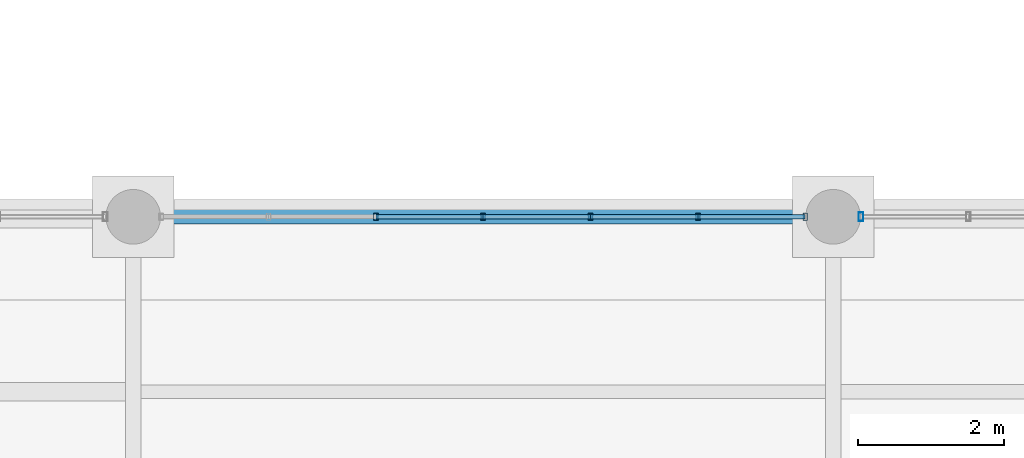
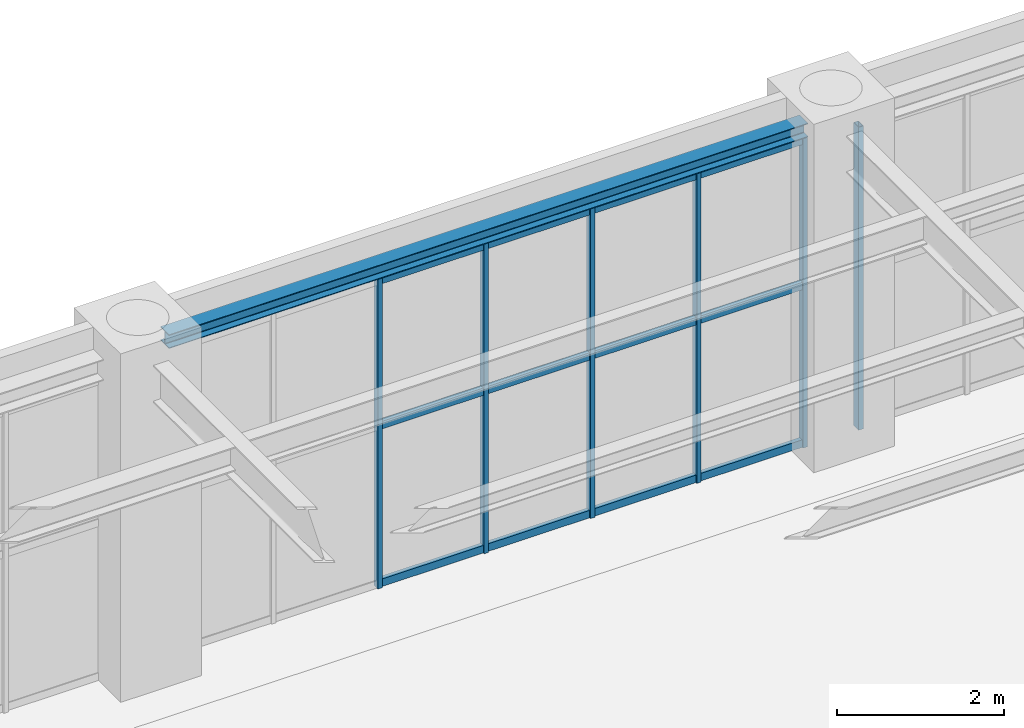
# One storey, part 68 of 174: 18 members, 1 beam, 2 elements without a shape of their own.
"""IFC4 building model written with IfcOpenShell, lengths in metres."""

from ifc_helpers import new_model, si_unit, direction, frame, origin, origin_2d, place, context, subcontext, project, spatial, hollow_rectangle, i_section, extrude, material, material_profile, profile_set, type_object, element, aggregate, save


model = new_model("IFC4")

# Units and contexts
model_context = context("Model", 3, precision=1e-05, world=origin(), true_north=direction((0.0, 1.0)))
body_context = subcontext(model_context, "Body", "Model", "MODEL_VIEW")
ifc_project = project(units=[si_unit("LENGTHUNIT", "METRE"), si_unit("AREAUNIT", "SQUARE_METRE"), si_unit("VOLUMEUNIT", "CUBIC_METRE"), si_unit("PLANEANGLEUNIT", "RADIAN"), si_unit("MASSUNIT", "GRAM", prefix="KILO")], contexts=[model_context])

# Site, building, storey
site_placement = place(None, origin())
site = spatial("IfcSite", under=ifc_project, at=site_placement, CompositionType="ELEMENT")
building_placement = place(site_placement, origin())
building = spatial("IfcBuilding", under=site, at=building_placement, Name="Mavantir Sound Aquarium", CompositionType="ELEMENT")
storey_placement = place(building_placement, frame((0.0, 0.0, 5.39990234375)))
storey = spatial("IfcBuildingStorey", under=building, at=storey_placement, Name="L01", CompositionType="ELEMENT", Elevation=5.39990234375)

# Beam
ifc_material_1 = material(Name="Structural Steel ASTM A992 Gr50", Category="steel")
ifc_material_profile_1 = material_profile(ifc_material_1, i_section(OverallWidth=0.202880859375, OverallDepth=0.202880859375, WebThickness=0.007080078125, FlangeThickness=0.010986328125, FilletRadius=0.010009765625, at=origin_2d()), Name="W200X46")
ifc_profile_set_1 = profile_set([ifc_material_profile_1], Name="Structural Steel ASTM A992 Gr50")
beam_type = type_object("IfcBeamType", Name="BM-W200X46-E", PredefinedType="LINTEL", material=ifc_profile_set_1)
beam_placement = place(storey_placement, frame((45.97509765625, 69.60009765625, 4.674560546875), z_axis=(1.0, 0.0, 0.0), x_axis=(0.0, 1.0, 0.0)))
element("IfcBeam", 1, at=beam_placement, inside=storey, type_object=beam_type, Name="L01 primary beam SL-20 1192", PredefinedType="LINTEL", context=body_context, shape_type="SweptSolid", body=[
    extrude(i_section(OverallWidth=0.202880859375, OverallDepth=0.202880859375, WebThickness=0.007080078125, FlangeThickness=0.010986328125, FilletRadius=0.010009765625, at=origin_2d()), origin(), (0.0, 0.0, 1.0), 8.849853515625),
])

# Curtain wall, members
ifc_material_2 = material(Name="Anodised Marine Aluminium and Low-E Glass", Category="aluminium")
curtain_wall_type_1 = type_object("IfcCurtainWallType", Name="CW-T11", PredefinedType="USERDEFINED", material=ifc_material_2)
curtain_wall_1_placement = place(storey_placement, origin())
curtain_wall_1 = element("IfcCurtainWall", 2, at=curtain_wall_1_placement, inside=storey, type_object=curtain_wall_type_1, Name="L01 unitised curtain wall CW-11 59", ObjectType="UNITISED GLAZING", PredefinedType="USERDEFINED")
ifc_material_3 = material(Name="Anodised Marine Aluminium 6063-T6", Category="aluminium")
ifc_material_profile_2 = material_profile(ifc_material_3, hollow_rectangle(XDim=0.06005859375, YDim=0.10009765625, WallThickness=0.00390625, at=origin_2d()), Name="ALU-MULLION-100X60")
ifc_profile_set_2 = profile_set([ifc_material_profile_2], Name="Anodised Marine Aluminium 6063-T6")
member_type_1 = type_object("IfcMemberType", Name="CW-MUL-100", PredefinedType="MULLION", material=ifc_profile_set_2)
member_1_placement = place(storey_placement, frame((54.81689453125, 69.60009765625, 0.0), z_axis=(0.0, 0.0, 1.0), x_axis=(1.0, 0.0, 0.0)))
member_1 = element("IfcMember", 3, at=member_1_placement, type_object=member_type_1, Name="CW-L01-059 vertical mullion 1", PredefinedType="MULLION", context=body_context, shape_type="SweptSolid", body=[
    extrude(hollow_rectangle(XDim=0.06005859375, YDim=0.10009765625, WallThickness=0.00390625, at=origin_2d()), origin(), (0.0, 0.0, 1.0), 4.543212890625),
])
member_2_placement = place(storey_placement, frame((53.3447265625, 69.60009765625, 0.0), z_axis=(0.0, 0.0, 1.0), x_axis=(1.0, 0.0, 0.0)))
member_2 = element("IfcMember", 4, at=member_2_placement, type_object=member_type_1, Name="CW-L01-059 vertical mullion 2", PredefinedType="MULLION", context=body_context, shape_type="SweptSolid", body=[
    extrude(hollow_rectangle(XDim=0.06005859375, YDim=0.10009765625, WallThickness=0.00390625, at=origin_2d()), origin(), (0.0, 0.0, 1.0), 4.543212890625),
])
member_3_placement = place(storey_placement, frame((51.872314453125, 69.60009765625, 0.0), z_axis=(0.0, 0.0, 1.0), x_axis=(1.0, 0.0, 0.0)))
member_3 = element("IfcMember", 5, at=member_3_placement, type_object=member_type_1, Name="CW-L01-059 vertical mullion 3", PredefinedType="MULLION", context=body_context, shape_type="SweptSolid", body=[
    extrude(hollow_rectangle(XDim=0.06005859375, YDim=0.10009765625, WallThickness=0.00390625, at=origin_2d()), origin(), (0.0, 0.0, 1.0), 4.543212890625),
])
member_4_placement = place(storey_placement, frame((50.39990234375, 69.60009765625, 0.0), z_axis=(0.0, 0.0, 1.0), x_axis=(1.0, 0.0, 0.0)))
member_4 = element("IfcMember", 6, at=member_4_placement, type_object=member_type_1, Name="CW-L01-059 vertical mullion 4", PredefinedType="MULLION", context=body_context, shape_type="SweptSolid", body=[
    extrude(hollow_rectangle(XDim=0.06005859375, YDim=0.10009765625, WallThickness=0.00390625, at=origin_2d()), origin(), (0.0, 0.0, 1.0), 4.543212890625),
])
member_5_placement = place(storey_placement, frame((48.927734375, 69.60009765625, 0.0), z_axis=(0.0, 0.0, 1.0), x_axis=(1.0, 0.0, 0.0)))
member_5 = element("IfcMember", 7, at=member_5_placement, type_object=member_type_1, Name="CW-L01-059 vertical mullion 5", PredefinedType="MULLION", context=body_context, shape_type="SweptSolid", body=[
    extrude(hollow_rectangle(XDim=0.06005859375, YDim=0.10009765625, WallThickness=0.00390625, at=origin_2d()), origin(), (0.0, 0.0, 1.0), 4.543212890625),
])

# Curtain wall, member
curtain_wall_type_2 = type_object("IfcCurtainWallType", Name="CW-T10", PredefinedType="USERDEFINED", material=ifc_material_2)
curtain_wall_2_placement = place(storey_placement, origin())
curtain_wall_2 = element("IfcCurtainWall", 8, at=curtain_wall_2_placement, inside=storey, type_object=curtain_wall_type_2, Name="L01 unitised curtain wall CW-10 58", ObjectType="UNITISED GLAZING", PredefinedType="USERDEFINED")
ifc_material_profile_3 = material_profile(ifc_material_3, hollow_rectangle(XDim=0.06494140625, YDim=0.1201171875, WallThickness=0.00390625, at=origin_2d()), Name="ALU-MULLION-120X65")
ifc_profile_set_3 = profile_set([ifc_material_profile_3], Name="Anodised Marine Aluminium 6063-T6")
member_type_2 = type_object("IfcMemberType", Name="CW-MUL-120", PredefinedType="MULLION", material=ifc_profile_set_3)
member_6_placement = place(storey_placement, frame((55.5830078125, 69.60009765625, 0.0), z_axis=(0.0, 0.0, 1.0), x_axis=(1.0, 0.0, 0.0)))
member_6 = element("IfcMember", 9, at=member_6_placement, type_object=member_type_2, Name="CW-L01-058 vertical mullion 7", PredefinedType="MULLION", context=body_context, shape_type="SweptSolid", body=[
    extrude(hollow_rectangle(XDim=0.06494140625, YDim=0.1201171875, WallThickness=0.00390625, at=origin_2d()), origin(), (0.0, 0.0, 1.0), 4.43798828125),
])
aggregate(curtain_wall_2, [member_6])

# Member
ifc_material_profile_4 = material_profile(ifc_material_3, hollow_rectangle(XDim=0.06005859375, YDim=0.110107421875, WallThickness=0.00390625, at=origin_2d()), Name="ALU-TRANSOM-110X60")
ifc_profile_set_4 = profile_set([ifc_material_profile_4], Name="Anodised Marine Aluminium 6063-T6")
member_type_3 = type_object("IfcMemberType", Name="CW-TRN-110", PredefinedType="USERDEFINED", material=ifc_profile_set_4)
member_7_placement = place(storey_placement, frame((54.81689453125, 69.60009765625, 0.05517578125), z_axis=(-1.0, 0.0, 0.0), x_axis=(0.0, -1.0, 0.0)))
member_7 = element("IfcMember", 10, at=member_7_placement, type_object=member_type_3, Name="CW-L01-059 transom 1.1", ObjectType="TRANSOM", PredefinedType="USERDEFINED", context=body_context, shape_type="SweptSolid", body=[
    extrude(hollow_rectangle(XDim=0.06005859375, YDim=0.110107421875, WallThickness=0.00390625, at=origin_2d()), origin(), (0.0, 0.0, 1.0), 1.47216796875),
])

member_8_placement = place(storey_placement, frame((54.81689453125, 69.60009765625, 2.362548828125), z_axis=(-1.0, 0.0, 0.0), x_axis=(0.0, -1.0, 0.0)))
member_8 = element("IfcMember", 11, at=member_8_placement, type_object=member_type_3, Name="CW-L01-059 transom 1.2", ObjectType="TRANSOM", PredefinedType="USERDEFINED", context=body_context, shape_type="SweptSolid", body=[
    extrude(hollow_rectangle(XDim=0.06005859375, YDim=0.110107421875, WallThickness=0.00390625, at=origin_2d()), origin(), (0.0, 0.0, 1.0), 1.47216796875),
])

member_9_placement = place(storey_placement, frame((54.81689453125, 69.60009765625, 4.488037109375), z_axis=(-1.0, 0.0, 0.0), x_axis=(0.0, -1.0, 0.0)))
member_9 = element("IfcMember", 12, at=member_9_placement, type_object=member_type_3, Name="CW-L01-059 transom 1.3", ObjectType="TRANSOM", PredefinedType="USERDEFINED", context=body_context, shape_type="SweptSolid", body=[
    extrude(hollow_rectangle(XDim=0.06005859375, YDim=0.110107421875, WallThickness=0.00390625, at=origin_2d()), origin(), (0.0, 0.0, 1.0), 1.47216796875),
])

member_10_placement = place(storey_placement, frame((53.3447265625, 69.60009765625, 0.05517578125), z_axis=(-1.0, 0.0, 0.0), x_axis=(0.0, -1.0, 0.0)))
member_10 = element("IfcMember", 13, at=member_10_placement, type_object=member_type_3, Name="CW-L01-059 transom 2.1", ObjectType="TRANSOM", PredefinedType="USERDEFINED", context=body_context, shape_type="SweptSolid", body=[
    extrude(hollow_rectangle(XDim=0.06005859375, YDim=0.110107421875, WallThickness=0.00390625, at=origin_2d()), origin(), (0.0, 0.0, 1.0), 1.472412109375),
])

member_11_placement = place(storey_placement, frame((53.3447265625, 69.60009765625, 2.362548828125), z_axis=(-1.0, 0.0, 0.0), x_axis=(0.0, -1.0, 0.0)))
member_11 = element("IfcMember", 14, at=member_11_placement, type_object=member_type_3, Name="CW-L01-059 transom 2.2", ObjectType="TRANSOM", PredefinedType="USERDEFINED", context=body_context, shape_type="SweptSolid", body=[
    extrude(hollow_rectangle(XDim=0.06005859375, YDim=0.110107421875, WallThickness=0.00390625, at=origin_2d()), origin(), (0.0, 0.0, 1.0), 1.472412109375),
])

member_12_placement = place(storey_placement, frame((53.3447265625, 69.60009765625, 4.488037109375), z_axis=(-1.0, 0.0, 0.0), x_axis=(0.0, -1.0, 0.0)))
member_12 = element("IfcMember", 15, at=member_12_placement, type_object=member_type_3, Name="CW-L01-059 transom 2.3", ObjectType="TRANSOM", PredefinedType="USERDEFINED", context=body_context, shape_type="SweptSolid", body=[
    extrude(hollow_rectangle(XDim=0.06005859375, YDim=0.110107421875, WallThickness=0.00390625, at=origin_2d()), origin(), (0.0, 0.0, 1.0), 1.472412109375),
])

member_13_placement = place(storey_placement, frame((51.872314453125, 69.60009765625, 0.05517578125), z_axis=(-1.0, 0.0, 0.0), x_axis=(0.0, -1.0, 0.0)))
member_13 = element("IfcMember", 16, at=member_13_placement, type_object=member_type_3, Name="CW-L01-059 transom 3.1", ObjectType="TRANSOM", PredefinedType="USERDEFINED", context=body_context, shape_type="SweptSolid", body=[
    extrude(hollow_rectangle(XDim=0.06005859375, YDim=0.110107421875, WallThickness=0.00390625, at=origin_2d()), origin(), (0.0, 0.0, 1.0), 1.472412109375),
])

member_14_placement = place(storey_placement, frame((51.872314453125, 69.60009765625, 2.362548828125), z_axis=(-1.0, 0.0, 0.0), x_axis=(0.0, -1.0, 0.0)))
member_14 = element("IfcMember", 17, at=member_14_placement, type_object=member_type_3, Name="CW-L01-059 transom 3.2", ObjectType="TRANSOM", PredefinedType="USERDEFINED", context=body_context, shape_type="SweptSolid", body=[
    extrude(hollow_rectangle(XDim=0.06005859375, YDim=0.110107421875, WallThickness=0.00390625, at=origin_2d()), origin(), (0.0, 0.0, 1.0), 1.472412109375),
])

member_15_placement = place(storey_placement, frame((51.872314453125, 69.60009765625, 4.488037109375), z_axis=(-1.0, 0.0, 0.0), x_axis=(0.0, -1.0, 0.0)))
member_15 = element("IfcMember", 18, at=member_15_placement, type_object=member_type_3, Name="CW-L01-059 transom 3.3", ObjectType="TRANSOM", PredefinedType="USERDEFINED", context=body_context, shape_type="SweptSolid", body=[
    extrude(hollow_rectangle(XDim=0.06005859375, YDim=0.110107421875, WallThickness=0.00390625, at=origin_2d()), origin(), (0.0, 0.0, 1.0), 1.472412109375),
])

member_16_placement = place(storey_placement, frame((50.39990234375, 69.60009765625, 0.05517578125), z_axis=(-1.0, 0.0, 0.0), x_axis=(0.0, -1.0, 0.0)))
member_16 = element("IfcMember", 19, at=member_16_placement, type_object=member_type_3, Name="CW-L01-059 transom 4.1", ObjectType="TRANSOM", PredefinedType="USERDEFINED", context=body_context, shape_type="SweptSolid", body=[
    extrude(hollow_rectangle(XDim=0.06005859375, YDim=0.110107421875, WallThickness=0.00390625, at=origin_2d()), origin(), (0.0, 0.0, 1.0), 1.47216796875),
])

member_17_placement = place(storey_placement, frame((50.39990234375, 69.60009765625, 2.362548828125), z_axis=(-1.0, 0.0, 0.0), x_axis=(0.0, -1.0, 0.0)))
member_17 = element("IfcMember", 20, at=member_17_placement, type_object=member_type_3, Name="CW-L01-059 transom 4.2", ObjectType="TRANSOM", PredefinedType="USERDEFINED", context=body_context, shape_type="SweptSolid", body=[
    extrude(hollow_rectangle(XDim=0.06005859375, YDim=0.110107421875, WallThickness=0.00390625, at=origin_2d()), origin(), (0.0, 0.0, 1.0), 1.47216796875),
])

member_18_placement = place(storey_placement, frame((50.39990234375, 69.60009765625, 4.488037109375), z_axis=(-1.0, 0.0, 0.0), x_axis=(0.0, -1.0, 0.0)))
member_18 = element("IfcMember", 21, at=member_18_placement, type_object=member_type_3, Name="CW-L01-059 transom 4.3", ObjectType="TRANSOM", PredefinedType="USERDEFINED", context=body_context, shape_type="SweptSolid", body=[
    extrude(hollow_rectangle(XDim=0.06005859375, YDim=0.110107421875, WallThickness=0.00390625, at=origin_2d()), origin(), (0.0, 0.0, 1.0), 1.47216796875),
])

aggregate(curtain_wall_1, [member_1, member_2, member_3, member_4, member_5, member_7, member_8, member_9, member_10, member_11, member_12, member_13, member_14, member_15, member_16, member_17, member_18])

save(model, "model.ifc")
